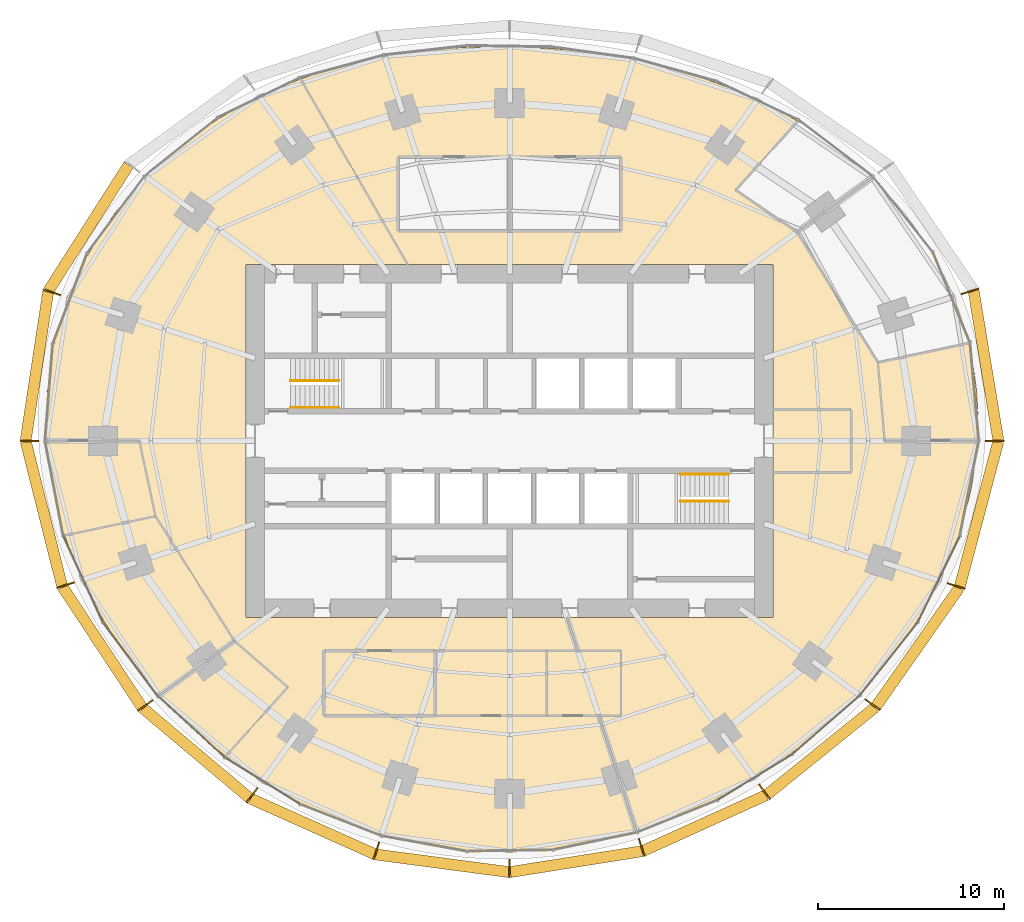
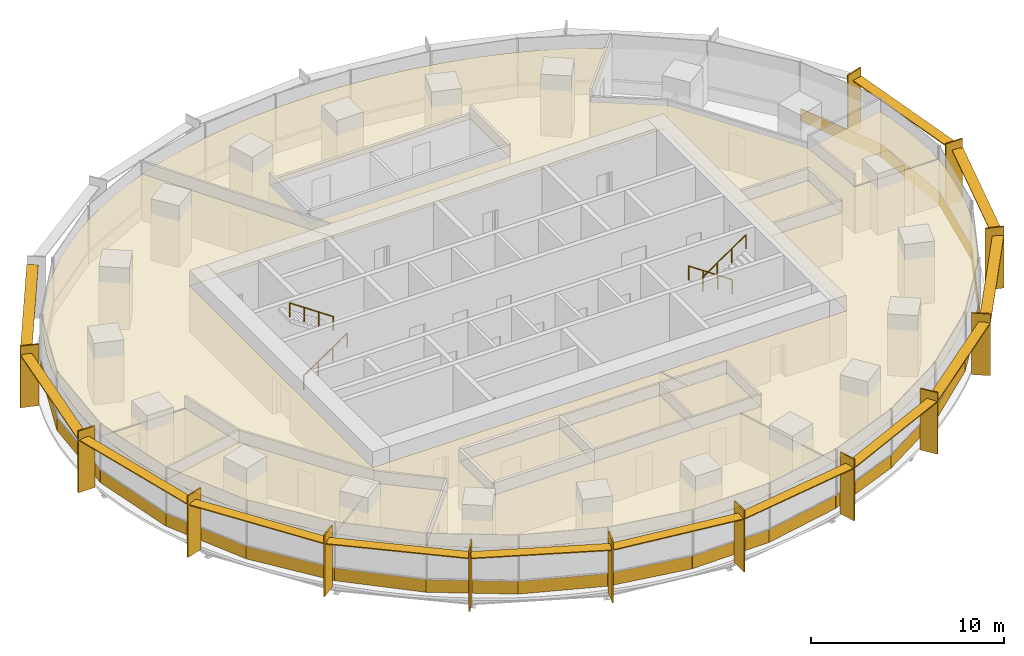
# One storey, part 13 of 14: 29 coverings, 26 shading devices, 4 railings.
"""IFC4 building model written with IfcOpenShell, lengths in metres."""

from ifc_helpers import new_model, si_unit, direction, frame, origin, origin_2d, place, context, subcontext, project, spatial, polyline, rectangle, circle, outline, extrude, material, layer, layer_set, type_object, element, save


model = new_model("IFC4")

# Units and contexts
model_context = context("Model", 3, precision=1e-05, world=origin(), true_north=direction((0.0, 1.0)))
body_context = subcontext(model_context, "Body", "Model", "MODEL_VIEW")
ifc_project = project(units=[si_unit("LENGTHUNIT", "METRE"), si_unit("AREAUNIT", "SQUARE_METRE"), si_unit("VOLUMEUNIT", "CUBIC_METRE"), si_unit("PLANEANGLEUNIT", "RADIAN"), si_unit("MASSUNIT", "GRAM", prefix="KILO")], contexts=[model_context])

# Site, building, storey
site_placement = place(None, origin())
site = spatial("IfcSite", under=ifc_project, at=site_placement, CompositionType="ELEMENT")
building_placement = place(site_placement, origin())
building = spatial("IfcBuilding", under=site, at=building_placement, Name="Marramba Exchange Tower", CompositionType="ELEMENT")
storey_placement = place(building_placement, frame((0.0, 0.0, 104.10009765625)))
storey = spatial("IfcBuildingStorey", under=building, at=storey_placement, Name="L24", CompositionType="ELEMENT", Elevation=104.10009765625)

# Shading devices
ifc_material_1 = material(Name="Aluminium blade, timber-look bronze finish", Category="wood")
ifc_layer_1 = layer(ifc_material_1, 0.080078125)
ifc_layer_set_1 = layer_set([ifc_layer_1], Name="Floor-edge blade 1000x80")
shading_device_type_1 = type_object("IfcShadingDeviceType", Name="Floor-edge blade 1000x80", PredefinedType="USERDEFINED", material=ifc_layer_set_1)
for number, where, z_axis, x_axis, name in (
    (1, (26.132080078125, 0.0, -0.16015625), (0.0, 0.0, 1.0), (1.0, 0.0, 0.0), "Floor-edge blade FB1 L24 TC01"),
    (2, (24.798583984375, 8.0576171875, -0.16015625), (0.0, 0.0, 1.0), (0.951056516295, 0.309016994375, 0.0), "Floor-edge blade FB1 L24 TC02"),
    (3, (-24.653076171875, 8.01025390625, -0.16015625), (0.0, 0.0, 1.0), (-0.951056516295, 0.309016994375, 0.0), "Floor-edge blade FB1 L24 TC10"),
    (4, (-25.867919921875, 0.0, -0.16015625), (0.0, 0.0, 1.0), (-1.0, 0.0, 0.0), "Floor-edge blade FB1 L24 TC11"),
    (5, (-23.90673828125, -7.767822265625, -0.16015625), (0.0, 0.0, 1.0), (-0.951056516295, -0.309016994375, 0.0), "Floor-edge blade FB1 L24 TC12"),
    (6, (-19.618408203125, -14.253662109375, -0.16015625), (0.0, 0.0, 1.0), (-0.809016994375, -0.587785252292, 0.0), "Floor-edge blade FB1 L24 TC13"),
    (7, (-13.866943359375, -19.08642578125, -0.16015625), (0.0, 0.0, 1.0), (-0.587785252292, -0.809016994375, 0.0), "Floor-edge blade FB1 L24 TC14"),
    (8, (-7.173828125, -22.078857421875, -0.16015625), (0.0, 0.0, 1.0), (-0.309016994375, -0.951056516295, 0.0), "Floor-edge blade FB1 L24 TC15"),
    (9, (0.0, -23.02685546875, -0.16015625), (0.0, 0.0, 1.0), (0.0, -1.0, 0.0), "Floor-edge blade FB1 L24 TC16"),
    (10, (7.115966796875, -21.900634765625, -0.16015625), (0.0, 0.0, 1.0), (0.309016994375, -0.951056516295, 0.0), "Floor-edge blade FB1 L24 TC17"),
    (11, (13.733154296875, -18.902099609375, -0.16015625), (0.0, 0.0, 1.0), (0.587785252292, -0.809016994375, 0.0), "Floor-edge blade FB1 L24 TC18"),
    (12, (19.555908203125, -14.208251953125, -0.16015625), (0.0, 0.0, 1.0), (0.809016994375, -0.587785252292, 0.0), "Floor-edge blade FB1 L24 TC19"),
    (13, (24.052001953125, -7.81494140625, -0.16015625), (0.0, 0.0, 1.0), (0.951056516295, -0.309016994375, 0.0), "Floor-edge blade FB1 L24 TC20"),
):
    element("IfcShadingDevice", number, at=place(storey_placement, frame(where, z_axis=z_axis, x_axis=x_axis)), inside=storey, type_object=shading_device_type_1, Name=name, ObjectType="FIN", PredefinedType="USERDEFINED", context=body_context, shape_type="SweptSolid", body=[
        extrude(rectangle(XDim=1.0, YDim=0.080078125, at=origin_2d()), origin(), (0.0, 0.0, 1.0), 3.89990234375),
    ])
ifc_material_2 = material(Name="Aluminium sunshade, bronze anodised", Category="aluminium")
ifc_layer_2 = layer(ifc_material_2, 0.06005859375)
ifc_layer_set_2 = layer_set([ifc_layer_2], Name="SUNSHADE blade 600x60")
shading_device_type_2 = type_object("IfcShadingDeviceType", Name="SUNSHADE blade 600x60", PredefinedType="USERDEFINED", material=ifc_layer_set_2)
shading_device_1_placement = place(storey_placement, frame((25.660400390625, 4.0595703125, 3.159912109375), z_axis=(0.0, 0.0, 1.0), x_axis=(-0.163227675764, 0.986588427798, 0.0)))
element("IfcShadingDevice", 14, at=shading_device_1_placement, inside=storey, type_object=shading_device_type_2, Name="Sunshade SS1 L24 bay 01", ObjectType="SUNSHADE", PredefinedType="USERDEFINED", context=body_context, shape_type="SweptSolid", body=[
    extrude(rectangle(XDim=8.149658203125, YDim=0.60009765625, at=origin_2d()), origin(), (0.0, 0.0, 1.0), 0.06005859375),
])
shading_device_2_placement = place(storey_placement, frame((-22.6708984375, 11.482421875, 3.159912109375), z_axis=(0.0, 0.0, 1.0), x_axis=(-0.537284770546, -0.843400898351, 0.0)))
element("IfcShadingDevice", 15, at=shading_device_2_placement, inside=storey, type_object=shading_device_type_2, Name="Sunshade SS1 L24 bay 09", ObjectType="SUNSHADE", PredefinedType="USERDEFINED", context=body_context, shape_type="SweptSolid", body=[
    extrude(rectangle(XDim=8.007080078125, YDim=0.60009765625, at=origin_2d()), origin(), (0.0, 0.0, 1.0), 0.06005859375),
])
shading_device_3_placement = place(storey_placement, frame((-25.455810546875, 4.0361328125, 3.159912109375), z_axis=(0.0, 0.0, 1.0), x_axis=(-0.14999307077, -0.988687047918, 0.0)))
element("IfcShadingDevice", 16, at=shading_device_3_placement, inside=storey, type_object=shading_device_type_2, Name="Sunshade SS1 L24 bay 10", ObjectType="SUNSHADE", PredefinedType="USERDEFINED", context=body_context, shape_type="SweptSolid", body=[
    extrude(rectangle(XDim=8.08447265625, YDim=0.60009765625, at=origin_2d()), origin(), (0.0, 0.0, 1.0), 0.06005859375),
])
shading_device_4_placement = place(storey_placement, frame((-25.08251953125, -3.914794921875, 3.159912109375), z_axis=(0.0, 0.0, 1.0), x_axis=(0.244116522902, -0.969745906537, 0.0)))
element("IfcShadingDevice", 17, at=shading_device_4_placement, inside=storey, type_object=shading_device_type_2, Name="Sunshade SS1 L24 bay 11", ObjectType="SUNSHADE", PredefinedType="USERDEFINED", context=body_context, shape_type="SweptSolid", body=[
    extrude(rectangle(XDim=7.993896484375, YDim=0.60009765625, at=origin_2d()), origin(), (0.0, 0.0, 1.0), 0.06005859375),
])
shading_device_5_placement = place(storey_placement, frame((-21.938720703125, -11.100341796875, 3.159912109375), z_axis=(0.0, 0.0, 1.0), x_axis=(0.550792342935, -0.834642315585, 0.0)))
element("IfcShadingDevice", 18, at=shading_device_5_placement, inside=storey, type_object=shading_device_type_2, Name="Sunshade SS1 L24 bay 12", ObjectType="SUNSHADE", PredefinedType="USERDEFINED", context=body_context, shape_type="SweptSolid", body=[
    extrude(rectangle(XDim=7.757568359375, YDim=0.60009765625, at=origin_2d()), origin(), (0.0, 0.0, 1.0), 0.06005859375),
])
shading_device_6_placement = place(storey_placement, frame((-16.88232421875, -16.8095703125, 3.159912109375), z_axis=(0.0, 0.0, 1.0), x_axis=(0.76513863304, -0.643865569998, 0.0)))
element("IfcShadingDevice", 19, at=shading_device_6_placement, inside=storey, type_object=shading_device_type_2, Name="Sunshade SS1 L24 bay 13", ObjectType="SUNSHADE", PredefinedType="USERDEFINED", context=body_context, shape_type="SweptSolid", body=[
    extrude(rectangle(XDim=7.49462890625, YDim=0.60009765625, at=origin_2d()), origin(), (0.0, 0.0, 1.0), 0.06005859375),
])
shading_device_7_placement = place(storey_placement, frame((-10.610107421875, -20.758544921875, 3.159912109375), z_axis=(0.0, 0.0, 1.0), x_axis=(0.912735880581, -0.408550134377, 0.0)))
element("IfcShadingDevice", 20, at=shading_device_7_placement, inside=storey, type_object=shading_device_type_2, Name="Sunshade SS1 L24 bay 14", ObjectType="SUNSHADE", PredefinedType="USERDEFINED", context=body_context, shape_type="SweptSolid", body=[
    extrude(rectangle(XDim=7.314208984375, YDim=0.60009765625, at=origin_2d()), origin(), (0.0, 0.0, 1.0), 0.06005859375),
])
shading_device_8_placement = place(storey_placement, frame((-3.617919921875, -22.748046875, 3.159912109375), z_axis=(0.0, 0.0, 1.0), x_axis=(0.991350478855, -0.131241106646, 0.0)))
element("IfcShadingDevice", 21, at=shading_device_8_placement, inside=storey, type_object=shading_device_type_2, Name="Sunshade SS1 L24 bay 15", ObjectType="SUNSHADE", PredefinedType="USERDEFINED", context=body_context, shape_type="SweptSolid", body=[
    extrude(rectangle(XDim=7.21875, YDim=0.60009765625, at=origin_2d()), origin(), (0.0, 0.0, 1.0), 0.06005859375),
])
shading_device_9_placement = place(storey_placement, frame((3.5888671875, -22.658935546875, 3.159912109375), z_axis=(0.0, 0.0, 1.0), x_axis=(0.987704817912, 0.15633039587, 0.0)))
element("IfcShadingDevice", 22, at=shading_device_9_placement, inside=storey, type_object=shading_device_type_2, Name="Sunshade SS1 L24 bay 16", ObjectType="SUNSHADE", PredefinedType="USERDEFINED", context=body_context, shape_type="SweptSolid", body=[
    extrude(rectangle(XDim=7.18701171875, YDim=0.60009765625, at=origin_2d()), origin(), (0.0, 0.0, 1.0), 0.06005859375),
])
shading_device_10_placement = place(storey_placement, frame((10.514404296875, -20.577392578125, 3.159912109375), z_axis=(0.0, 0.0, 1.0), x_axis=(0.910692240548, 0.413085515366, 0.0)))
element("IfcShadingDevice", 23, at=shading_device_10_placement, inside=storey, type_object=shading_device_type_2, Name="Sunshade SS1 L24 bay 17", ObjectType="SUNSHADE", PredefinedType="USERDEFINED", context=body_context, shape_type="SweptSolid", body=[
    extrude(rectangle(XDim=7.24755859375, YDim=0.60009765625, at=origin_2d()), origin(), (0.0, 0.0, 1.0), 0.06005859375),
])
shading_device_11_placement = place(storey_placement, frame((16.7841796875, -16.69482421875, 3.159912109375), z_axis=(0.0, 0.0, 1.0), x_axis=(0.777962439436, 0.628310785223, 0.0)))
element("IfcShadingDevice", 24, at=shading_device_11_placement, inside=storey, type_object=shading_device_type_2, Name="Sunshade SS1 L24 bay 18", ObjectType="SUNSHADE", PredefinedType="USERDEFINED", context=body_context, shape_type="SweptSolid", body=[
    extrude(rectangle(XDim=7.46142578125, YDim=0.60009765625, at=origin_2d()), origin(), (0.0, 0.0, 1.0), 0.06005859375),
])
shading_device_12_placement = place(storey_placement, frame((21.97998046875, -11.101318359375, 3.159912109375), z_axis=(0.0, 0.0, 1.0), x_axis=(0.574350885858, 0.818609222959, 0.0)))
element("IfcShadingDevice", 25, at=shading_device_12_placement, inside=storey, type_object=shading_device_type_2, Name="Sunshade SS1 L24 bay 19", ObjectType="SUNSHADE", PredefinedType="USERDEFINED", context=body_context, shape_type="SweptSolid", body=[
    extrude(rectangle(XDim=7.7978515625, YDim=0.60009765625, at=origin_2d()), origin(), (0.0, 0.0, 1.0), 0.06005859375),
])
shading_device_13_placement = place(storey_placement, frame((25.287109375, -3.9384765625, 3.159912109375), z_axis=(0.0, 0.0, 1.0), x_axis=(0.256422950151, 0.966564674833, 0.0)))
element("IfcShadingDevice", 26, at=shading_device_13_placement, inside=storey, type_object=shading_device_type_2, Name="Sunshade SS1 L24 bay 20", ObjectType="SUNSHADE", PredefinedType="USERDEFINED", context=body_context, shape_type="SweptSolid", body=[
    extrude(rectangle(XDim=8.0693359375, YDim=0.60009765625, at=origin_2d()), origin(), (0.0, 0.0, 1.0), 0.06005859375),
])

# Coverings
ifc_material_3 = material(Name="Aluminium spandrel panel, bronze anodised, insulated", Category="aluminium")
ifc_layer_3 = layer(ifc_material_3, 0.050048828125)
ifc_layer_set_3 = layer_set([ifc_layer_3], Name="Spandrel panel 800")
covering_type_1 = type_object("IfcCoveringType", Name="Spandrel panel 800", PredefinedType="CLADDING", material=ifc_layer_set_3)
covering_1_placement = place(storey_placement, frame((25.04541015625, 2.63671875, 0.0), z_axis=(0.0, 0.0, 1.0), x_axis=(-0.089412890131, 0.995994646109, 0.0)))
element("IfcCovering", 27, at=covering_1_placement, inside=storey, type_object=covering_type_1, Name="Spandrel panel SP1 L24 F01", PredefinedType="CLADDING", context=body_context, shape_type="SweptSolid", body=[
    extrude(rectangle(XDim=5.29443359375, YDim=0.050048828125, at=origin_2d()), origin(), (0.0, 0.0, 1.0), 0.800048828125),
])
covering_2_placement = place(storey_placement, frame((23.81201171875, 7.715576171875, 0.0), z_axis=(0.0, 0.0, 1.0), x_axis=(-0.377821185272, 0.925878583811, 0.0)))
element("IfcCovering", 28, at=covering_2_placement, inside=storey, type_object=covering_type_1, Name="Spandrel panel SP1 L24 F02", PredefinedType="CLADDING", context=body_context, shape_type="SweptSolid", body=[
    extrude(rectangle(XDim=5.27587890625, YDim=0.050048828125, at=origin_2d()), origin(), (0.0, 0.0, 1.0), 0.800048828125),
])
covering_3_placement = place(storey_placement, frame((-23.671875, 7.677490234375, 0.0), z_axis=(0.0, 0.0, 1.0), x_axis=(-0.354844476365, -0.934925343326, 0.0)))
element("IfcCovering", 29, at=covering_3_placement, inside=storey, type_object=covering_type_1, Name="Spandrel panel SP1 L24 F14", PredefinedType="CLADDING", context=body_context, shape_type="SweptSolid", body=[
    extrude(rectangle(XDim=5.2373046875, YDim=0.050048828125, at=origin_2d()), origin(), (0.0, 0.0, 1.0), 0.800048828125),
])
covering_4_placement = place(storey_placement, frame((-24.8095703125, 2.614501953125, 0.0), z_axis=(0.0, 0.0, 1.0), x_axis=(-0.079459700697, -0.996838079111, 0.0)))
element("IfcCovering", 30, at=covering_4_placement, inside=storey, type_object=covering_type_1, Name="Spandrel panel SP1 L24 F15", PredefinedType="CLADDING", context=body_context, shape_type="SweptSolid", body=[
    extrude(rectangle(XDim=5.245849609375, YDim=0.050048828125, at=origin_2d()), origin(), (0.0, 0.0, 1.0), 0.800048828125),
])
covering_5_placement = place(storey_placement, frame((-24.5283203125, -2.5546875, 0.0), z_axis=(0.0, 0.0, 1.0), x_axis=(0.188227222909, -0.982125507538, 0.0)))
element("IfcCovering", 31, at=covering_5_placement, inside=storey, type_object=covering_type_1, Name="Spandrel panel SP1 L24 F16", PredefinedType="CLADDING", context=body_context, shape_type="SweptSolid", body=[
    extrude(rectangle(XDim=5.20263671875, YDim=0.050048828125, at=origin_2d()), origin(), (0.0, 0.0, 1.0), 0.800048828125),
])
covering_6_placement = place(storey_placement, frame((-22.973876953125, -7.43212890625, 0.0), z_axis=(0.0, 0.0, 1.0), x_axis=(0.416737850896, -0.909026712275, 0.0)))
element("IfcCovering", 32, at=covering_6_placement, inside=storey, type_object=covering_type_1, Name="Spandrel panel SP1 L24 F17", PredefinedType="CLADDING", context=body_context, shape_type="SweptSolid", body=[
    extrude(rectangle(XDim=5.10986328125, YDim=0.050048828125, at=origin_2d()), origin(), (0.0, 0.0, 1.0), 0.800048828125),
])
covering_7_placement = place(storey_placement, frame((-20.419921875, -11.75439453125, 0.0), z_axis=(0.0, 0.0, 1.0), x_axis=(0.597304701232, -0.802014397555, 0.0)))
element("IfcCovering", 33, at=covering_7_placement, inside=storey, type_object=covering_type_1, Name="Spandrel panel SP1 L24 F18", PredefinedType="CLADDING", context=body_context, shape_type="SweptSolid", body=[
    extrude(rectangle(XDim=4.986572265625, YDim=0.050048828125, at=origin_2d()), origin(), (0.0, 0.0, 1.0), 0.800048828125),
])
covering_8_placement = place(storey_placement, frame((-17.135986328125, -15.39599609375, 0.0), z_axis=(0.0, 0.0, 1.0), x_axis=(0.737821889246, -0.674995451651, 0.0)))
element("IfcCovering", 34, at=covering_8_placement, inside=storey, type_object=covering_type_1, Name="Spandrel panel SP1 L24 F19", PredefinedType="CLADDING", context=body_context, shape_type="SweptSolid", body=[
    extrude(rectangle(XDim=4.865234375, YDim=0.050048828125, at=origin_2d()), origin(), (0.0, 0.0, 1.0), 0.800048828125),
])
covering_9_placement = place(storey_placement, frame((-13.31787109375, -18.300537109375, 0.0), z_axis=(0.0, 0.0, 1.0), x_axis=(0.848354599309, -0.529428440708, 0.0)))
element("IfcCovering", 35, at=covering_9_placement, inside=storey, type_object=covering_type_1, Name="Spandrel panel SP1 L24 F20", PredefinedType="CLADDING", context=body_context, shape_type="SweptSolid", body=[
    extrude(rectangle(XDim=4.76953125, YDim=0.050048828125, at=origin_2d()), origin(), (0.0, 0.0, 1.0), 0.800048828125),
])
covering_10_placement = place(storey_placement, frame((-9.10302734375, -20.416748046875, 0.0), z_axis=(0.0, 0.0, 1.0), x_axis=(0.931818387481, -0.362924913381, 0.0)))
element("IfcCovering", 36, at=covering_10_placement, inside=storey, type_object=covering_type_1, Name="Spandrel panel SP1 L24 F21", PredefinedType="CLADDING", context=body_context, shape_type="SweptSolid", body=[
    extrude(rectangle(XDim=4.704345703125, YDim=0.050048828125, at=origin_2d()), origin(), (0.0, 0.0, 1.0), 0.800048828125),
])
covering_11_placement = place(storey_placement, frame((-4.616943359375, -21.685302734375, 0.0), z_axis=(0.0, 0.0, 1.0), x_axis=(0.984031866928, -0.177992373069, 0.0)))
element("IfcCovering", 37, at=covering_11_placement, inside=storey, type_object=covering_type_1, Name="Spandrel panel SP1 L24 F22", PredefinedType="CLADDING", context=body_context, shape_type="SweptSolid", body=[
    extrude(rectangle(XDim=4.662841796875, YDim=0.050048828125, at=origin_2d()), origin(), (0.0, 0.0, 1.0), 0.800048828125),
])
covering_12_placement = place(storey_placement, frame((-0.003662109375, -22.065185546875, 0.0), z_axis=(0.0, 0.0, 1.0), x_axis=(0.999884797651, 0.015178650325, 0.0)))
element("IfcCovering", 38, at=covering_12_placement, inside=storey, type_object=covering_type_1, Name="Spandrel panel SP1 L24 F23", PredefinedType="CLADDING", context=body_context, shape_type="SweptSolid", body=[
    extrude(rectangle(XDim=4.638916015625, YDim=0.050048828125, at=origin_2d()), origin(), (0.0, 0.0, 1.0), 0.800048828125),
])
covering_13_placement = place(storey_placement, frame((4.58447265625, -21.56103515625, 0.0), z_axis=(0.0, 0.0, 1.0), x_axis=(0.979310200528, 0.202364846604, 0.0)))
element("IfcCovering", 39, at=covering_13_placement, inside=storey, type_object=covering_type_1, Name="Spandrel panel SP1 L24 F24", PredefinedType="CLADDING", context=body_context, shape_type="SweptSolid", body=[
    extrude(rectangle(XDim=4.6337890625, YDim=0.050048828125, at=origin_2d()), origin(), (0.0, 0.0, 1.0), 0.800048828125),
])
covering_14_placement = place(storey_placement, frame((9.014892578125, -20.225341796875, 0.0), z_axis=(0.0, 0.0, 1.0), x_axis=(0.928148914987, 0.372209069755, 0.0)))
element("IfcCovering", 40, at=covering_14_placement, inside=storey, type_object=covering_type_1, Name="Spandrel panel SP1 L24 F25", PredefinedType="CLADDING", context=body_context, shape_type="SweptSolid", body=[
    extrude(rectangle(XDim=4.657958984375, YDim=0.050048828125, at=origin_2d()), origin(), (0.0, 0.0, 1.0), 0.800048828125),
])
covering_15_placement = place(storey_placement, frame((13.193115234375, -18.125244140625, 0.0), z_axis=(0.0, 0.0, 1.0), x_axis=(0.853109118827, 0.521732528576, 0.0)))
element("IfcCovering", 41, at=covering_15_placement, inside=storey, type_object=covering_type_1, Name="Spandrel panel SP1 L24 F26", PredefinedType="CLADDING", context=body_context, shape_type="SweptSolid", body=[
    extrude(rectangle(XDim=4.7275390625, YDim=0.050048828125, at=origin_2d()), origin(), (0.0, 0.0, 1.0), 0.800048828125),
])
covering_16_placement = place(storey_placement, frame((17.038818359375, -15.30029296875, 0.0), z_axis=(0.0, 0.0, 1.0), x_axis=(0.754385510875, 0.656431642277, 0.0)))
element("IfcCovering", 42, at=covering_16_placement, inside=storey, type_object=covering_type_1, Name="Spandrel panel SP1 L24 F27", PredefinedType="CLADDING", context=body_context, shape_type="SweptSolid", body=[
    extrude(rectangle(XDim=4.849609375, YDim=0.050048828125, at=origin_2d()), origin(), (0.0, 0.0, 1.0), 0.800048828125),
])
covering_17_placement = place(storey_placement, frame((20.425048828125, -11.747802734375, 0.0), z_axis=(0.0, 0.0, 1.0), x_axis=(0.621807470279, 0.783170141097, 0.0)))
element("IfcCovering", 43, at=covering_17_placement, inside=storey, type_object=covering_type_1, Name="Spandrel panel SP1 L24 F28", PredefinedType="CLADDING", context=body_context, shape_type="SweptSolid", body=[
    extrude(rectangle(XDim=5.00732421875, YDim=0.050048828125, at=origin_2d()), origin(), (0.0, 0.0, 1.0), 0.800048828125),
])
covering_18_placement = place(storey_placement, frame((23.114013671875, -7.47021484375, 0.0), z_axis=(0.0, 0.0, 1.0), x_axis=(0.439086346903, 0.898444867515, 0.0)))
element("IfcCovering", 44, at=covering_18_placement, inside=storey, type_object=covering_type_1, Name="Spandrel panel SP1 L24 F29", PredefinedType="CLADDING", context=body_context, shape_type="SweptSolid", body=[
    extrude(rectangle(XDim=5.156982421875, YDim=0.050048828125, at=origin_2d()), origin(), (0.0, 0.0, 1.0), 0.800048828125),
])
covering_19_placement = place(storey_placement, frame((24.76416015625, -2.576904296875, 0.0), z_axis=(0.0, 0.0, 1.0), x_axis=(0.197048514193, 0.980393738788, 0.0)))
element("IfcCovering", 45, at=covering_19_placement, inside=storey, type_object=covering_type_1, Name="Spandrel panel SP1 L24 F30", PredefinedType="CLADDING", context=body_context, shape_type="SweptSolid", body=[
    extrude(rectangle(XDim=5.2568359375, YDim=0.050048828125, at=origin_2d()), origin(), (0.0, 0.0, 1.0), 0.800048828125),
])

# Railings
ifc_material_4 = material(Name="Stainless steel handrail", Category="steel")
railing_type = type_object("IfcRailingType", Name="Stair handrail 900", PredefinedType="HANDRAIL", material=ifc_material_4)
railing_1_placement = place(storey_placement, frame((-11.800048828125, 1.800048828125, 0.17724609375)))
element("IfcRailing", 46, at=railing_1_placement, inside=storey, type_object=railing_type, Name="Handrail HR1 ST1 L24 flight 1", PredefinedType="HANDRAIL", context=body_context, shape_type="SweptSolid", body=[
    extrude(circle(Radius=0.02392578125, at=origin_2d()), frame((0.0, 0.0, 0.8759765625), z_axis=(0.826240473404, 0.0, 0.563317565952), x_axis=(0.0, 1.0, 0.0)), (0.0, 0.0, 1.0), 3.14697265625),
    extrude(circle(Radius=0.02099609375, at=origin_2d()), origin(), (0.0, 0.0, 1.0), 0.851806640625),
    extrude(circle(Radius=0.02099609375, at=origin_2d()), frame((0.86669921875, 0.0, 0.5908203125)), (0.0, 0.0, 1.0), 0.851806640625),
    extrude(circle(Radius=0.02099609375, at=origin_2d()), frame((1.7333984375, 0.0, 1.181884765625)), (0.0, 0.0, 1.0), 0.851806640625),
    extrude(circle(Radius=0.02099609375, at=origin_2d()), frame((2.60009765625, 0.0, 1.772705078125)), (0.0, 0.0, 1.0), 0.851806640625),
])
for number, where, name in (
    (47, (-9.199951171875, 3.25, 2.127197265625), "Handrail HR1 ST1 L24 flight 2"),
    (48, (11.800048828125, -1.800048828125, 0.17724609375), "Handrail HR1 ST2 L24 flight 1"),
):
    element("IfcRailing", number, at=place(storey_placement, frame(where)), inside=storey, type_object=railing_type, Name=name, PredefinedType="HANDRAIL", context=body_context, shape_type="SweptSolid", body=[
        extrude(circle(Radius=0.02392578125, at=origin_2d()), frame((0.0, 0.0, 0.8759765625), z_axis=(-0.826240473404, 0.0, 0.563317565952), x_axis=(0.0, -1.0, 0.0)), (0.0, 0.0, 1.0), 3.14697265625),
        extrude(circle(Radius=0.02099609375, at=origin_2d()), origin(), (0.0, 0.0, 1.0), 0.851806640625),
        extrude(circle(Radius=0.02099609375, at=origin_2d()), frame((-0.86669921875, 0.0, 0.5908203125)), (0.0, 0.0, 1.0), 0.851806640625),
        extrude(circle(Radius=0.02099609375, at=origin_2d()), frame((-1.7333984375, 0.0, 1.181884765625)), (0.0, 0.0, 1.0), 0.851806640625),
        extrude(circle(Radius=0.02099609375, at=origin_2d()), frame((-2.60009765625, 0.0, 1.772705078125)), (0.0, 0.0, 1.0), 0.851806640625),
    ])
railing_2_placement = place(storey_placement, frame((9.199951171875, -3.25, 2.127197265625)))
element("IfcRailing", 49, at=railing_2_placement, inside=storey, type_object=railing_type, Name="Handrail HR1 ST2 L24 flight 2", PredefinedType="HANDRAIL", context=body_context, shape_type="SweptSolid", body=[
    extrude(circle(Radius=0.02392578125, at=origin_2d()), frame((0.0, 0.0, 0.8759765625), z_axis=(0.826240473404, 0.0, 0.563317565952), x_axis=(0.0, 1.0, 0.0)), (0.0, 0.0, 1.0), 3.14697265625),
    extrude(circle(Radius=0.02099609375, at=origin_2d()), origin(), (0.0, 0.0, 1.0), 0.851806640625),
    extrude(circle(Radius=0.02099609375, at=origin_2d()), frame((0.86669921875, 0.0, 0.5908203125)), (0.0, 0.0, 1.0), 0.851806640625),
    extrude(circle(Radius=0.02099609375, at=origin_2d()), frame((1.7333984375, 0.0, 1.181884765625)), (0.0, 0.0, 1.0), 0.851806640625),
    extrude(circle(Radius=0.02099609375, at=origin_2d()), frame((2.60009765625, 0.0, 1.772705078125)), (0.0, 0.0, 1.0), 0.851806640625),
])

# Coverings
ifc_material_5 = material(Name="Mineral fibre ceiling tiles", Category="gypsum")
ifc_layer_4 = layer(ifc_material_5, 0.02001953125)
ifc_layer_set_4 = layer_set([ifc_layer_4], Name="Suspended ceiling 20")
covering_type_2 = type_object("IfcCoveringType", Name="Suspended ceiling 20", PredefinedType="CEILING", material=ifc_layer_set_4)
covering_20_placement = place(storey_placement, frame((0.0, 0.0, 2.89990234375)))
element("IfcCovering", 50, at=covering_20_placement, inside=storey, type_object=covering_type_2, Name="Ceiling CL1 L24 Market Supervision Office", PredefinedType="CEILING", context=body_context, shape_type="SweptSolid", body=[
    extrude(outline(polyline([(14.199951171875, -1.699951171875), (18.39990234375, -1.699951171875), (18.39990234375, 1.699951171875), (14.199951171875, 1.699951171875), (14.199951171875, 9.5), (-5.48486328125, 9.5), (-11.2548828125, 19.493896484375), (-10.127197265625, 19.875732421875), (-8.995361328125, 20.203857421875), (-7.862060546875, 20.4814453125), (-6.7294921875, 20.711181640625), (-5.59912109375, 20.896484375), (-4.47216796875, 21.0400390625), (-3.34912109375, 21.14453125), (-2.2294921875, 21.212158203125), (-1.11328125, 21.244384765625), (0.0, 21.2431640625), (1.111572265625, 21.208740234375), (2.22216796875, 21.1416015625), (3.332763671875, 21.041748046875), (4.444091796875, 20.907958984375), (5.556884765625, 20.739013671875), (6.671630859375, 20.533203125), (7.787841796875, 20.287841796875), (8.905029296875, 20.0009765625), (10.02197265625, 19.6689453125), (11.13671875, 19.289306640625), (12.24658203125, 18.8583984375), (13.348876953125, 18.373046875), (14.43896484375, 17.830810546875), (15.512451171875, 17.228271484375), (12.166748046875, 13.512451171875), (15.4765625, 11.244384765625), (19.839599609375, 4.217041015625), (20.201904296875, 0.0), (25.201904296875, 0.0), (25.077392578125, -1.314208984375), (24.8603515625, -2.61279296875), (24.555419921875, -3.88916015625), (24.16796875, -5.136962890625), (23.703125, -6.351318359375), (23.16748046875, -7.527587890625), (22.5673828125, -8.662841796875), (21.90869140625, -9.75439453125), (21.197509765625, -10.80078125), (20.439697265625, -11.80078125), (19.64013671875, -12.75439453125), (18.803466796875, -13.66162109375), (17.93359375, -14.5224609375), (17.033935546875, -15.33740234375), (16.107421875, -16.107421875), (15.156005859375, -16.83251953125), (14.181884765625, -17.51318359375), (13.1865234375, -18.14990234375), (12.171142578125, -18.741943359375), (11.13671875, -19.289306640625), (10.083984375, -19.791259765625), (9.0146484375, -20.2470703125), (7.928955078125, -20.65576171875), (6.82861328125, -21.01611328125), (4.808837890625, -14.800048828125), (6.0, -14.800048828125), (6.0, -11.300048828125), (3.671630859375, -11.300048828125), (3.086669921875, -9.5), (14.199951171875, -9.5), (14.199951171875, -1.699951171875)]), holes=[polyline([(-6.0, 11.300048828125), (0.0, 11.300048828125), (6.0, 11.300048828125), (6.0, 15.300048828125), (0.0, 15.300048828125), (-6.0, 15.300048828125), (-6.0, 11.300048828125)])]), origin(), (0.0, 0.0, 1.0), 0.02001953125),
])
covering_21_placement = place(storey_placement, frame((0.0, 0.0, 2.89990234375)))
element("IfcCovering", 51, at=covering_21_placement, inside=storey, type_object=covering_type_2, Name="Ceiling CL1 L24 Investigations Office", PredefinedType="CEILING", context=body_context, shape_type="SweptSolid", body=[
    extrude(outline(polyline([(-14.199951171875, -9.5), (3.086669921875, -9.5), (3.671630859375, -11.300048828125), (2.0, -11.300048828125), (-4.0, -11.300048828125), (-10.0, -11.300048828125), (-10.0, -14.800048828125), (-4.0, -14.800048828125), (2.0, -14.800048828125), (4.808837890625, -14.800048828125), (5.4091796875, -16.648193359375), (6.82861328125, -21.01611328125), (5.714599609375, -21.3271484375), (4.58837890625, -21.587158203125), (3.4521484375, -21.79541015625), (2.30712890625, -21.950439453125), (1.15576171875, -22.05126953125), (0.0, -22.096923828125), (-1.157470703125, -22.0869140625), (-2.314453125, -22.020751953125), (-3.468505859375, -21.898193359375), (-4.61669921875, -21.719482421875), (-5.7568359375, -21.484619140625), (-6.886474609375, -21.1943359375), (-8.00341796875, -20.84912109375), (-9.10498046875, -20.4501953125), (-10.189453125, -19.997802734375), (-11.2548828125, -19.493896484375), (-12.299072265625, -18.938720703125), (-13.3203125, -18.333984375), (-14.317138671875, -17.68017578125), (-15.28759765625, -16.978515625), (-11.94189453125, -13.2626953125), (-14.82080078125, -10.76806640625), (-19.069580078125, -4.053466796875), (-19.93798828125, 0.0), (-24.93798828125, 0.0), (-24.970947265625, 1.30859375), (-24.913330078125, 2.618408203125), (-24.76416015625, 3.92236328125), (-24.52294921875, 5.21240234375), (-24.1904296875, 6.481689453125), (-23.768798828125, 7.722900390625), (-23.260498046875, 8.928955078125), (-22.669677734375, 10.09326171875), (-22.0009765625, 11.2099609375), (-21.259765625, 12.2744140625), (-20.451904296875, 13.28173828125), (-19.583984375, 14.228759765625), (-18.66259765625, 15.11279296875), (-17.6943359375, 15.93212890625), (-16.685791015625, 16.685791015625), (-15.643798828125, 17.374267578125), (-14.57421875, 17.99755859375), (-13.482666015625, 18.55712890625), (-12.37451171875, 19.05517578125), (-11.2548828125, 19.493896484375), (-7.552978515625, 13.082275390625), (-5.48486328125, 9.5), (-14.199951171875, 9.5), (-14.199951171875, -9.5)])), origin(), (0.0, 0.0, 1.0), 0.02001953125),
])
covering_22_placement = place(storey_placement, frame((0.0, 0.0, 2.89990234375)))
element("IfcCovering", 52, at=covering_22_placement, inside=storey, type_object=covering_type_2, Name="Ceiling CL1 L24 Corridor", PredefinedType="CEILING", context=body_context, shape_type="SweptSolid", body=[
    extrude(outline(polyline([(14.199951171875, -1.699951171875), (14.199951171875, 1.699951171875), (18.39990234375, 1.699951171875), (18.39990234375, -1.699951171875), (14.199951171875, -1.699951171875)])), origin(), (0.0, 0.0, 1.0), 0.02001953125),
])
covering_23_placement = place(storey_placement, frame((0.0, 0.0, 2.89990234375)))
element("IfcCovering", 53, at=covering_23_placement, inside=storey, type_object=covering_type_2, Name="Ceiling CL1 L24 Compliance Office 2", PredefinedType="CEILING", context=body_context, shape_type="SweptSolid", body=[
    extrude(outline(polyline([(24.86328125, 4.6064453125), (24.99560546875, 3.958984375), (25.16259765625, 2.644775390625), (25.186279296875, 2.190185546875), (25.231201171875, 1.322265625), (25.201904296875, 0.0), (20.201904296875, 0.0), (19.839599609375, 4.217041015625), (24.73046875, 5.256591796875), (24.86328125, 4.6064453125)])), origin(), (0.0, 0.0, 1.0), 0.02001953125),
])
covering_24_placement = place(storey_placement, frame((0.0, 0.0, 2.89990234375)))
element("IfcCovering", 54, at=covering_24_placement, inside=storey, type_object=covering_type_2, Name="Ceiling CL1 L24 Compliance Office 4", PredefinedType="CEILING", context=body_context, shape_type="SweptSolid", body=[
    extrude(outline(polyline([(-24.113525390625, -4.57080078125), (-24.32421875, -3.8525390625), (-24.611083984375, -2.586669921875), (-24.81689453125, -1.300537109375), (-24.93798828125, 0.0), (-19.93798828125, 0.0), (-19.069580078125, -4.053466796875), (-23.96044921875, -5.093017578125), (-24.113525390625, -4.57080078125)])), origin(), (0.0, 0.0, 1.0), 0.02001953125),
])
covering_25_placement = place(storey_placement, frame((0.0, 0.0, 2.89990234375)))
element("IfcCovering", 55, at=covering_25_placement, inside=storey, type_object=covering_type_2, Name="Ceiling CL1 L24 Compliance Office 5", PredefinedType="CEILING", context=body_context, shape_type="SweptSolid", body=[
    extrude(outline(polyline([(-19.673095703125, -12.77587890625), (-20.439697265625, -11.80078125), (-21.162109375, -10.78271484375), (-21.4462890625, -10.33544921875), (-21.836181640625, -9.72216796875), (-22.188232421875, -9.098388671875), (-22.457763671875, -8.62060546875), (-23.022216796875, -7.48046875), (-23.407470703125, -6.57861328125), (-23.52490234375, -6.303466796875), (-23.96044921875, -5.093017578125), (-19.069580078125, -4.053466796875), (-14.82080078125, -10.76806640625), (-18.865966796875, -13.706787109375), (-19.673095703125, -12.77587890625)])), origin(), (0.0, 0.0, 1.0), 0.02001953125),
])
covering_26_placement = place(storey_placement, frame((0.0, 0.0, 2.89990234375)))
element("IfcCovering", 56, at=covering_26_placement, inside=storey, type_object=covering_type_2, Name="Ceiling CL1 L24 Compliance Office 6", PredefinedType="CEILING", context=body_context, shape_type="SweptSolid", body=[
    extrude(outline(polyline([(-15.601318359375, -16.72900390625), (-16.229736328125, -16.229736328125), (-17.1416015625, -15.434326171875), (-18.021240234375, -14.59326171875), (-18.23583984375, -14.3681640625), (-18.865966796875, -13.706787109375), (-14.82080078125, -10.76806640625), (-11.94189453125, -13.2626953125), (-15.28759765625, -16.978515625), (-15.601318359375, -16.72900390625)])), origin(), (0.0, 0.0, 1.0), 0.02001953125),
])
covering_27_placement = place(storey_placement, frame((0.0, 0.0, 2.89990234375)))
element("IfcCovering", 57, at=covering_27_placement, inside=storey, type_object=covering_type_2, Name="Ceiling CL1 L24 Records Store", PredefinedType="CEILING", context=body_context, shape_type="SweptSolid", body=[
    extrude(outline(polyline([(-4.0, -14.800048828125), (-10.0, -14.800048828125), (-10.0, -11.300048828125), (-4.0, -11.300048828125), (-4.0, -14.800048828125)])), origin(), (0.0, 0.0, 1.0), 0.02001953125),
])
covering_28_placement = place(storey_placement, frame((0.0, 0.0, 2.89990234375)))
element("IfcCovering", 58, at=covering_28_placement, inside=storey, type_object=covering_type_2, Name="Ceiling CL1 L24 Pantry", PredefinedType="CEILING", context=body_context, shape_type="SweptSolid", body=[
    extrude(outline(polyline([(2.0, -14.800048828125), (-4.0, -14.800048828125), (-4.0, -11.300048828125), (2.0, -11.300048828125), (2.0, -14.800048828125)])), origin(), (0.0, 0.0, 1.0), 0.02001953125),
])
covering_29_placement = place(storey_placement, frame((0.0, 0.0, 2.89990234375)))
element("IfcCovering", 59, at=covering_29_placement, inside=storey, type_object=covering_type_2, Name="Ceiling CL1 L24 Print Room", PredefinedType="CEILING", context=body_context, shape_type="SweptSolid", body=[
    extrude(outline(polyline([(6.0, -11.300048828125), (6.0, -14.800048828125), (2.0, -14.800048828125), (2.0, -11.300048828125), (6.0, -11.300048828125)])), origin(), (0.0, 0.0, 1.0), 0.02001953125),
])

save(model, "model.ifc")
